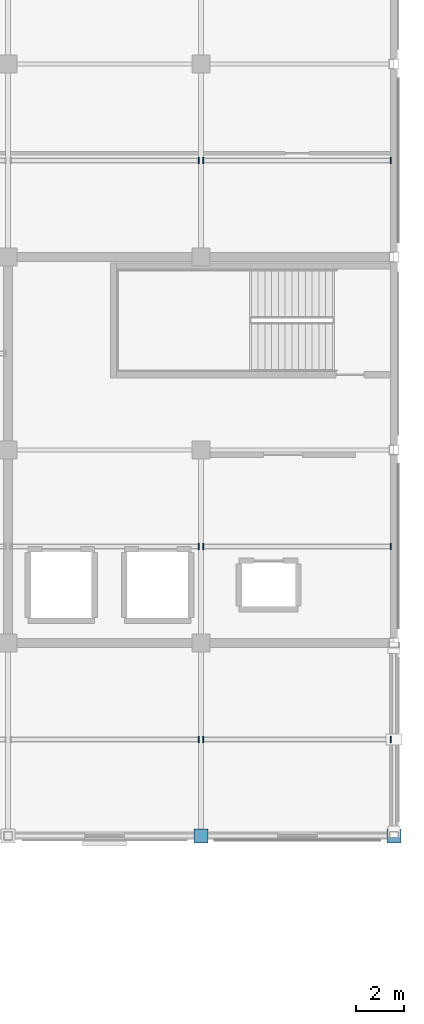
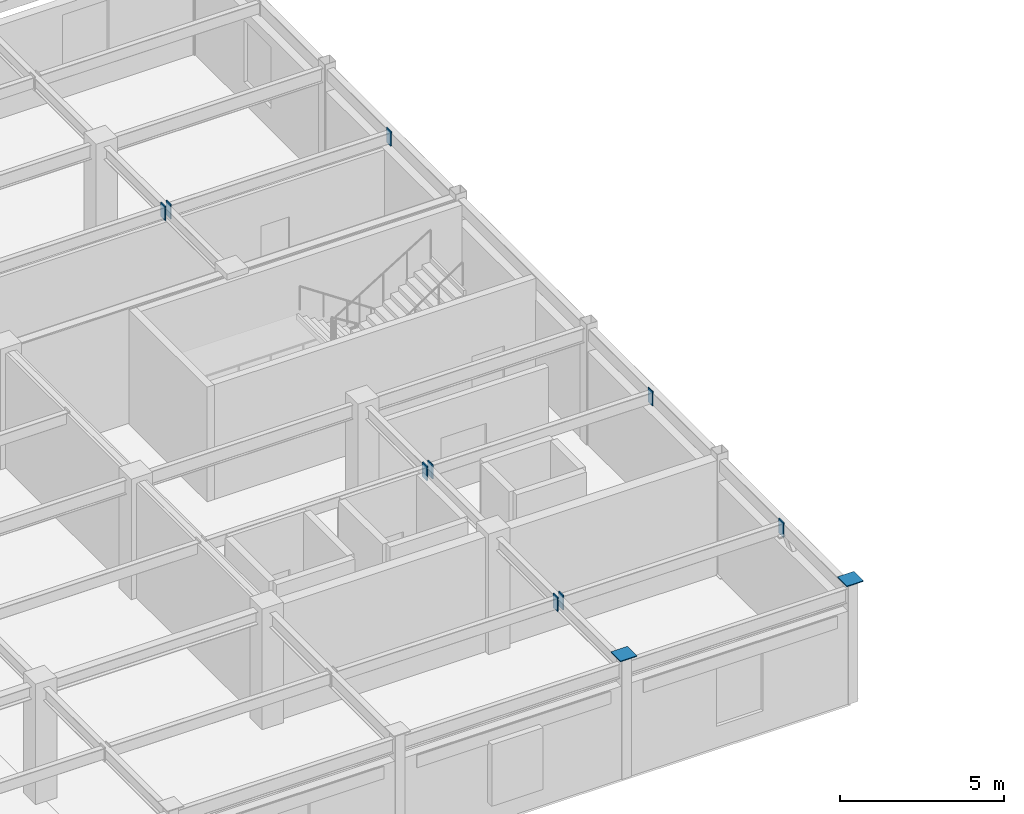
# One storey, part 80 of 93: 11 discrete accessories.
"""IFC4 building model written with IfcOpenShell, lengths in metres."""

from ifc_helpers import new_model, si_unit, direction, frame, origin, origin_2d, place, context, subcontext, project, spatial, rectangle, extrude, material, layer, layer_set, type_object, element, save


model = new_model("IFC4")

# Units and contexts
model_context = context("Model", 3, precision=1e-05, world=origin(), true_north=direction((0.0, 1.0)))
body_context = subcontext(model_context, "Body", "Model", "MODEL_VIEW")
ifc_project = project(units=[si_unit("LENGTHUNIT", "METRE"), si_unit("AREAUNIT", "SQUARE_METRE"), si_unit("VOLUMEUNIT", "CUBIC_METRE"), si_unit("PLANEANGLEUNIT", "RADIAN"), si_unit("MASSUNIT", "GRAM", prefix="KILO")], contexts=[model_context])

# Site, building, storey
site_placement = place(None, origin())
site = spatial("IfcSite", under=ifc_project, at=site_placement, CompositionType="ELEMENT")
building_placement = place(site_placement, origin())
building = spatial("IfcBuilding", under=site, at=building_placement, Name="Solmirada Galleria", CompositionType="ELEMENT")
storey_placement = place(building_placement, frame((0.0, 0.0, 14.89990234375)))
storey = spatial("IfcBuildingStorey", under=building, at=storey_placement, Name="L03", CompositionType="ELEMENT", Elevation=14.89990234375)

# Discrete accessories
ifc_material = material(Name="Steel S355 / ASTM A572 Grade 50", Category="steel")
ifc_layer = layer(ifc_material, 0.031982421875)
ifc_layer_set = layer_set([ifc_layer], Name="Steel S355 / ASTM A572 Grade 50")
discrete_accessory_type = type_object("IfcDiscreteAccessoryType", Name="ACC-COL-CAP", PredefinedType="BRACKET", material=ifc_layer_set)
for number, where, z_axis, x_axis, name in (
    (1, (168.0, 80.0, 4.494140625), (0.0, 0.0, 1.0), (1.0, 0.0, 0.0), "Hollow column cap plate L03-1464"),
    (2, (176.0, 80.0, 4.494140625), (0.0, 0.0, 1.0), (1.0, 0.0, 0.0), "Hollow column cap plate L03-1537"),
):
    element("IfcDiscreteAccessory", number, at=place(storey_placement, frame(where, z_axis=z_axis, x_axis=x_axis)), inside=storey, type_object=discrete_accessory_type, Name=name, PredefinedType="BRACKET", context=body_context, shape_type="SweptSolid", body=[
        extrude(rectangle(XDim=0.580078125, YDim=0.580078125, at=origin_2d()), origin(), (0.0, 0.0, 1.0), 0.035888671875),
    ])
for number, where, z_axis, x_axis, name in (
    (3, (167.903076171875, 84.0, 3.787109375), (0.0, 0.0, 1.0), (1.0, 0.0, 0.0), "Hollow joist end plate L04-21-11-R"),
    (4, (167.903076171875, 92.0, 3.8271484375), (0.0, 0.0, 1.0), (1.0, 0.0, 0.0), "Hollow joist end plate L04-21-12-R"),
    (5, (167.903076171875, 108.0, 3.8271484375), (0.0, 0.0, 1.0), (1.0, 0.0, 0.0), "Hollow joist end plate L04-21-14-R"),
    (6, (168.096923828125, 84.0, 3.787109375), (0.0, 0.0, 1.0), (1.0, 0.0, 0.0), "Hollow joist end plate L04-22-11-L"),
    (7, (175.873046875, 84.0, 3.787109375), (0.0, 0.0, 1.0), (1.0, 0.0, 0.0), "Hollow joist end plate L04-22-11-R"),
    (8, (168.096923828125, 92.0, 3.8271484375), (0.0, 0.0, 1.0), (1.0, 0.0, 0.0), "Hollow joist end plate L04-22-12-L"),
    (9, (175.873046875, 92.0, 3.8271484375), (0.0, 0.0, 1.0), (1.0, 0.0, 0.0), "Hollow joist end plate L04-22-12-R"),
    (10, (168.096923828125, 108.0, 3.8271484375), (0.0, 0.0, 1.0), (1.0, 0.0, 0.0), "Hollow joist end plate L04-22-14-L"),
    (11, (175.873046875, 108.0, 3.8271484375), (0.0, 0.0, 1.0), (1.0, 0.0, 0.0), "Hollow joist end plate L04-22-14-R"),
):
    element("IfcDiscreteAccessory", number, at=place(storey_placement, frame(where, z_axis=z_axis, x_axis=x_axis)), inside=storey, type_object=discrete_accessory_type, Name=name, PredefinedType="BRACKET", context=body_context, shape_type="SweptSolid", body=[
        extrude(rectangle(XDim=0.035888671875, YDim=0.280029296875, at=origin_2d()), origin(), (0.0, 0.0, 1.0), 0.5400390625),
    ])

save(model, "model.ifc")
